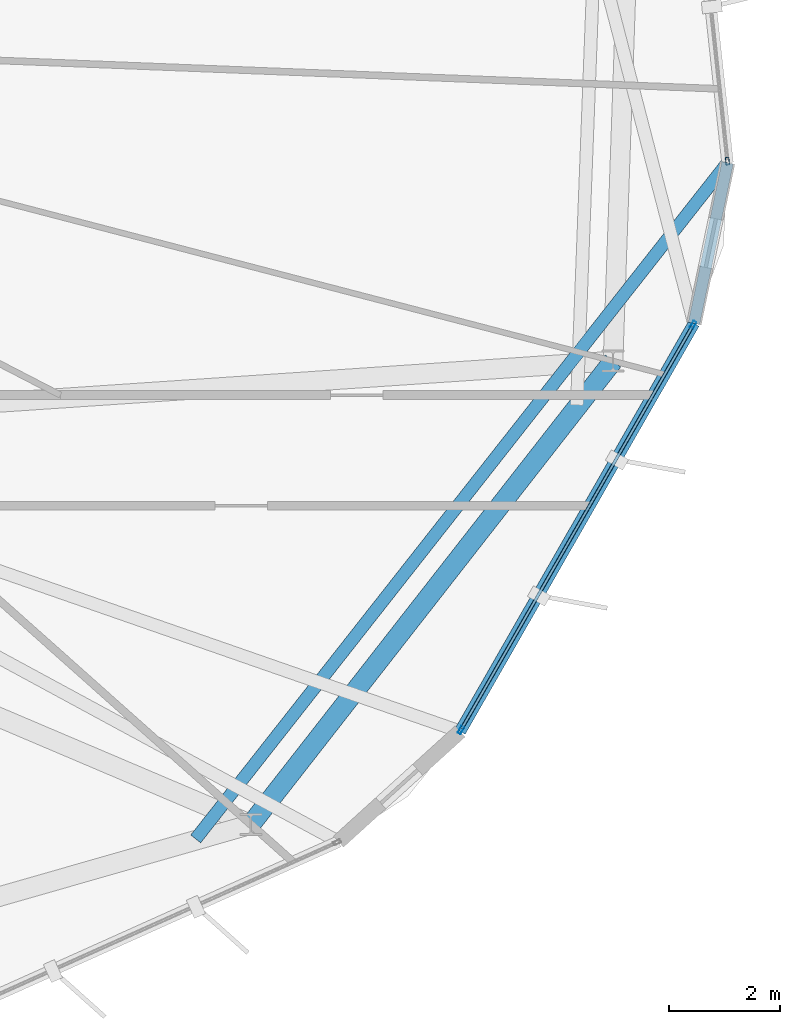
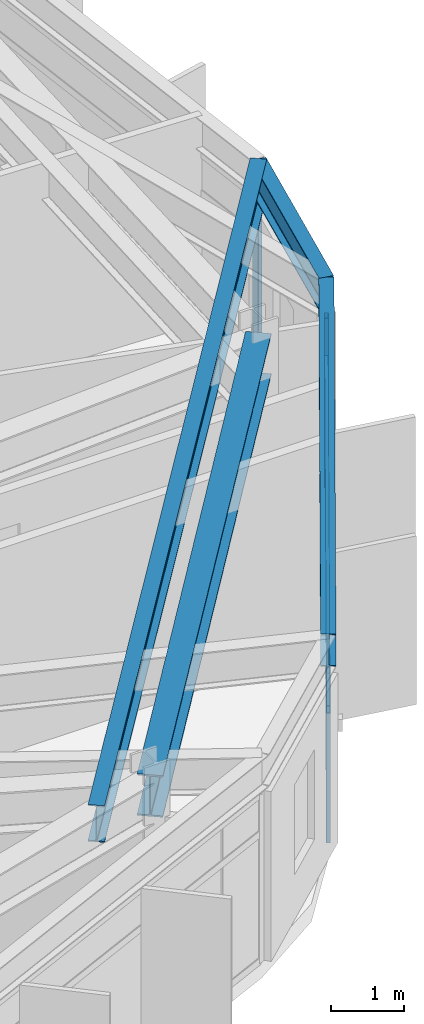
# One storey, part 10 of 23: 6 members, 4 beams, 2 elements without a shape of their own.
"""IFC4 building model written with IfcOpenShell, lengths in metres."""

from ifc_helpers import new_model, si_unit, direction, frame, origin, origin_2d, place, context, subcontext, project, spatial, hollow_rectangle, i_section, extrude, material, layer, layer_set, material_profile, profile_set, type_object, element, aggregate, save


model = new_model("IFC4")

# Units and contexts
model_context = context("Model", 3, precision=1e-05, world=origin(), true_north=direction((0.0, 1.0)))
body_context = subcontext(model_context, "Body", "Model", "MODEL_VIEW")
ifc_project = project(units=[si_unit("LENGTHUNIT", "METRE"), si_unit("AREAUNIT", "SQUARE_METRE"), si_unit("VOLUMEUNIT", "CUBIC_METRE"), si_unit("PLANEANGLEUNIT", "RADIAN"), si_unit("MASSUNIT", "GRAM", prefix="KILO")], contexts=[model_context])

# Site, building, storey
site_placement = place(None, origin())
site = spatial("IfcSite", under=ifc_project, at=site_placement, CompositionType="ELEMENT")
building_placement = place(site_placement, origin())
building = spatial("IfcBuilding", under=site, at=building_placement, Name="Soratama Intermodal Tower", CompositionType="ELEMENT")
storey_placement = place(building_placement, frame((0.0, 0.0, 253.75)))
storey = spatial("IfcBuildingStorey", under=building, at=storey_placement, Name="L64", CompositionType="ELEMENT", Elevation=253.75)

# Beams
ifc_material_1 = material(Name="Structural steel ASTM A992 Grade 50", Category="steel")
ifc_material_profile_1 = material_profile(ifc_material_1, i_section(OverallWidth=0.35498046875, OverallDepth=0.695068359375, WebThickness=0.015380859375, FlangeThickness=0.02490234375, FilletRadius=0.01611328125, at=origin_2d()), Name="W27X146")
ifc_profile_set_1 = profile_set([ifc_material_profile_1], Name="Structural steel ASTM A992 Grade 50")
beam_type_1 = type_object("IfcBeamType", Name="BM-RING-W27X146", PredefinedType="BEAM", material=ifc_profile_set_1)
beam_1_placement = place(storey_placement, frame((54.617919921875, 10.740966796875, 3.1025390625), z_axis=(0.6157278291, 0.787958907858, 0.0), x_axis=(-0.787958907858, 0.6157278291, 0.0)))
element("IfcBeam", 1, at=beam_1_placement, inside=storey, type_object=beam_type_1, Name="BM-L64-RING-09", PredefinedType="BEAM", context=body_context, shape_type="SweptSolid", body=[
    extrude(i_section(OverallWidth=0.35498046875, OverallDepth=0.695068359375, WebThickness=0.015380859375, FlangeThickness=0.02490234375, FilletRadius=0.01611328125, at=origin_2d()), origin(), (0.0, 0.0, 1.0), 10.6298828125),
])
ifc_material_2 = material(Name="Structural steel ASTM A992 Grade 50", Category="steel")
ifc_material_profile_2 = material_profile(ifc_material_2, i_section(OverallWidth=0.2099609375, OverallDepth=0.537109375, WebThickness=0.010986328125, FlangeThickness=0.017333984375, FilletRadius=0.012939453125, at=origin_2d()), Name="W21X68")
ifc_profile_set_2 = profile_set([ifc_material_profile_2], Name="Structural steel ASTM A992 Grade 50")
beam_type_2 = type_object("IfcBeamType", Name="BM-SPN-W21X68", PredefinedType="SPANDREL", material=ifc_profile_set_2)
beam_2_placement = place(storey_placement, frame((58.39892578125, 12.422119140625, 3.181396484375), z_axis=(0.497332516205, 0.867560008487, 0.0), x_axis=(-0.867560008487, 0.497332516205, 0.0)))
element("IfcBeam", 2, at=beam_2_placement, inside=storey, type_object=beam_type_2, Name="BS-L64-F08", PredefinedType="SPANDREL", context=body_context, shape_type="SweptSolid", body=[
    extrude(i_section(OverallWidth=0.2099609375, OverallDepth=0.537109375, WebThickness=0.010986328125, FlangeThickness=0.017333984375, FilletRadius=0.012939453125, at=origin_2d()), origin(), (0.0, 0.0, 1.0), 8.49951171875),
])
beam_3_placement = place(storey_placement, frame((62.6259765625, 19.7958984375, 3.181396484375), z_axis=(0.204575297496, 0.978850830134, 0.0), x_axis=(-0.978850830134, 0.204575297496, 0.0)))
element("IfcBeam", 3, at=beam_3_placement, inside=storey, type_object=beam_type_2, Name="BS-L64-CRN08", PredefinedType="SPANDREL", context=body_context, shape_type="SweptSolid", body=[
    extrude(i_section(OverallWidth=0.2099609375, OverallDepth=0.537109375, WebThickness=0.010986328125, FlangeThickness=0.017333984375, FilletRadius=0.012939453125, at=origin_2d()), origin(), (0.0, 0.0, 1.0), 2.966796875),
])
ifc_material_3 = material(Name="Structural steel ASTM A992 Grade 50", Category="steel")
ifc_material_profile_3 = material_profile(ifc_material_3, i_section(OverallWidth=0.22900390625, OverallDepth=0.612060546875, WebThickness=0.011962890625, FlangeThickness=0.01953125, FilletRadius=0.012939453125, at=origin_2d()), Name="W24X84")
ifc_profile_set_3 = profile_set([ifc_material_profile_3], Name="Structural steel ASTM A992 Grade 50")
beam_type_3 = type_object("IfcBeamType", Name="BM-TIE-W24X84", PredefinedType="BEAM", material=ifc_profile_set_3)
beam_4_placement = place(storey_placement, frame((53.6201171875, 10.47900390625, 3.14404296875), z_axis=(0.618243777608, 0.785986406657, 0.0), x_axis=(-0.785986406657, 0.618243777608, 0.0)))
element("IfcBeam", 4, at=beam_4_placement, inside=storey, type_object=beam_type_3, Name="BM-L64-TIE0-09", PredefinedType="BEAM", context=body_context, shape_type="SweptSolid", body=[
    extrude(i_section(OverallWidth=0.22900390625, OverallDepth=0.612060546875, WebThickness=0.011962890625, FlangeThickness=0.01953125, FilletRadius=0.012939453125, at=origin_2d()), origin(), (0.0, 0.0, 1.0), 15.548583984375),
])

# Curtain wall, members
ifc_material_4 = material(Name="Double-glazed aluminium curtain wall", Category="aluminium")
ifc_layer = layer(ifc_material_4, 0.159912109375)
ifc_layer_set = layer_set([ifc_layer], Name="Double-glazed aluminium curtain wall")
curtain_wall_type = type_object("IfcCurtainWallType", Name="CW-SYS-5", PredefinedType="NOTDEFINED", material=ifc_layer_set)
curtain_wall_1_placement = place(storey_placement, origin())
curtain_wall_1 = element("IfcCurtainWall", 5, at=curtain_wall_1_placement, inside=storey, type_object=curtain_wall_type, Name="L64 Faceted Curtain Wall F08", PredefinedType="NOTDEFINED")
ifc_material_5 = material(Name="Anodised aluminium AA 6063-T6", Category="aluminium")
ifc_material_profile_4 = material_profile(ifc_material_5, hollow_rectangle(XDim=0.06494140625, YDim=0.139892578125, WallThickness=0.0048828125, InnerFilletRadius=0.0048828125, OuterFilletRadius=0.010009765625, at=origin_2d()), Name="CWM140X65X5")
ifc_profile_set_4 = profile_set([ifc_material_profile_4], Name="Anodised aluminium AA 6063-T6")
member_type_1 = type_object("IfcMemberType", Name="MT-CWM-5", PredefinedType="MULLION", material=ifc_profile_set_4)
member_1_placement = place(storey_placement, frame((58.413818359375, 12.447509765625, 0.0), z_axis=(0.0, 0.0, 1.0), x_axis=(-0.867587889524, 0.497283876625, 0.0)))
member_1 = element("IfcMember", 6, at=member_1_placement, type_object=member_type_1, Name="CW-5 mullion 1", PredefinedType="MULLION", context=body_context, shape_type="SweptSolid", body=[
    extrude(hollow_rectangle(XDim=0.06494140625, YDim=0.139892578125, WallThickness=0.0048828125, InnerFilletRadius=0.0048828125, OuterFilletRadius=0.010009765625, at=origin_2d()), origin(), (0.0, 0.0, 1.0), 2.8291015625),
])
member_2_placement = place(storey_placement, frame((62.61083984375, 19.769775390625, 0.0), z_axis=(0.0, 0.0, 1.0), x_axis=(-0.867587889524, 0.497283876625, 0.0)))
member_2 = element("IfcMember", 7, at=member_2_placement, type_object=member_type_1, Name="CW-5 mullion 2", PredefinedType="MULLION", context=body_context, shape_type="SweptSolid", body=[
    extrude(hollow_rectangle(XDim=0.06494140625, YDim=0.139892578125, WallThickness=0.0048828125, InnerFilletRadius=0.0048828125, OuterFilletRadius=0.010009765625, at=origin_2d()), origin(), (0.0, 0.0, 1.0), 2.8291015625),
])

# Curtain wall, member
curtain_wall_2_placement = place(storey_placement, origin())
curtain_wall_2 = element("IfcCurtainWall", 8, at=curtain_wall_2_placement, inside=storey, type_object=curtain_wall_type, Name="L64 Faceted Curtain Wall F09", PredefinedType="NOTDEFINED")
member_3_placement = place(storey_placement, frame((63.230224609375, 22.7294921875, 0.0), z_axis=(0.0, 0.0, 1.0), x_axis=(-0.994187629774, -0.107661305973, 0.0)))
member_3 = element("IfcMember", 9, at=member_3_placement, type_object=member_type_1, Name="CW-5 mullion 1", PredefinedType="MULLION", context=body_context, shape_type="SweptSolid", body=[
    extrude(hollow_rectangle(XDim=0.06494140625, YDim=0.139892578125, WallThickness=0.0048828125, InnerFilletRadius=0.0048828125, OuterFilletRadius=0.010009765625, at=origin_2d()), origin(), (0.0, 0.0, 1.0), 2.8291015625),
])
aggregate(curtain_wall_2, [member_3])

# Member
ifc_material_6 = material(Name="Anodised aluminium AA 6063-T6", Category="aluminium")
ifc_material_profile_5 = material_profile(ifc_material_6, hollow_rectangle(XDim=0.06005859375, YDim=0.1298828125, WallThickness=0.0048828125, InnerFilletRadius=0.0048828125, OuterFilletRadius=0.010009765625, at=origin_2d()), Name="CWT130X60X5")
ifc_profile_set_5 = profile_set([ifc_material_profile_5], Name="Anodised aluminium AA 6063-T6")
member_type_2 = type_object("IfcMemberType", Name="TT-CWT-2", PredefinedType="USERDEFINED", material=ifc_profile_set_5)
member_4_placement = place(storey_placement, frame((58.428955078125, 12.4736328125, 0.030029296875), z_axis=(0.497268041572, 0.867596965665, 0.0), x_axis=(-0.867596965665, 0.497268041572, 0.0)))
member_4 = element("IfcMember", 10, at=member_4_placement, type_object=member_type_2, Name="CW-5 transom 1.1", ObjectType="TRANSOM", PredefinedType="USERDEFINED", context=body_context, shape_type="SweptSolid", body=[
    extrude(hollow_rectangle(XDim=0.06005859375, YDim=0.1298828125, WallThickness=0.0048828125, InnerFilletRadius=0.0048828125, OuterFilletRadius=0.010009765625, at=origin_2d()), origin(), (0.0, 0.0, 1.0), 8.3798828125),
])

member_5_placement = place(storey_placement, frame((58.428955078125, 12.4736328125, 2.14990234375), z_axis=(0.497268041572, 0.867596965665, 0.0), x_axis=(-0.867596965665, 0.497268041572, 0.0)))
member_5 = element("IfcMember", 11, at=member_5_placement, type_object=member_type_2, Name="CW-5 transom 1.2", ObjectType="TRANSOM", PredefinedType="USERDEFINED", context=body_context, shape_type="SweptSolid", body=[
    extrude(hollow_rectangle(XDim=0.06005859375, YDim=0.1298828125, WallThickness=0.0048828125, InnerFilletRadius=0.0048828125, OuterFilletRadius=0.010009765625, at=origin_2d()), origin(), (0.0, 0.0, 1.0), 8.3798828125),
])

member_6_placement = place(storey_placement, frame((58.428955078125, 12.4736328125, 2.799072265625), z_axis=(0.497268041572, 0.867596965665, 0.0), x_axis=(-0.867596965665, 0.497268041572, 0.0)))
member_6 = element("IfcMember", 12, at=member_6_placement, type_object=member_type_2, Name="CW-5 transom 1.3", ObjectType="TRANSOM", PredefinedType="USERDEFINED", context=body_context, shape_type="SweptSolid", body=[
    extrude(hollow_rectangle(XDim=0.06005859375, YDim=0.1298828125, WallThickness=0.0048828125, InnerFilletRadius=0.0048828125, OuterFilletRadius=0.010009765625, at=origin_2d()), origin(), (0.0, 0.0, 1.0), 8.3798828125),
])

aggregate(curtain_wall_1, [member_1, member_2, member_4, member_5, member_6])

save(model, "model.ifc")
